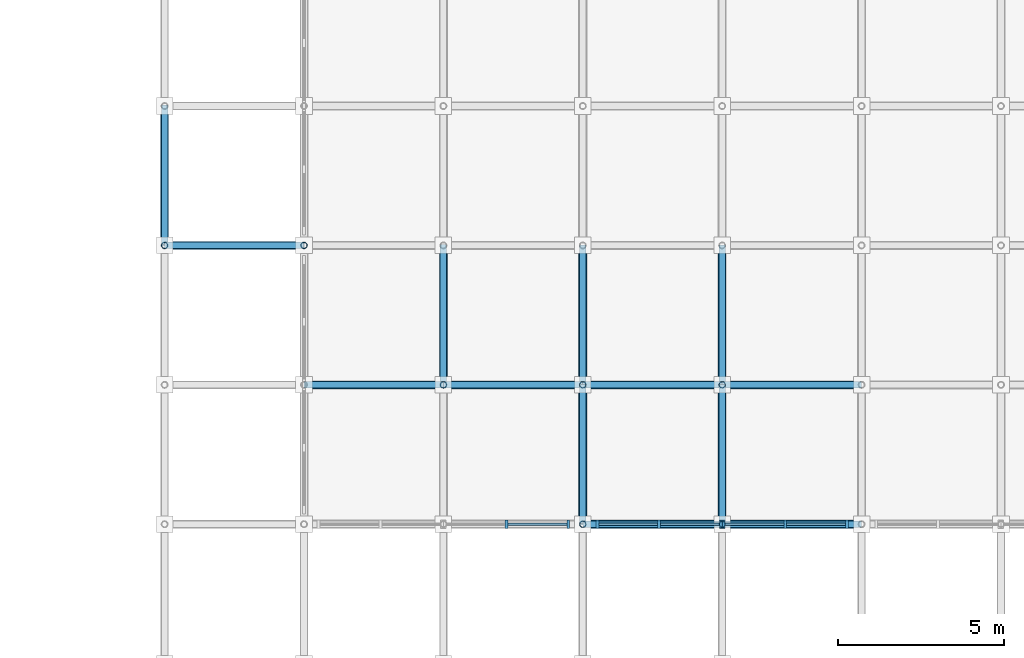
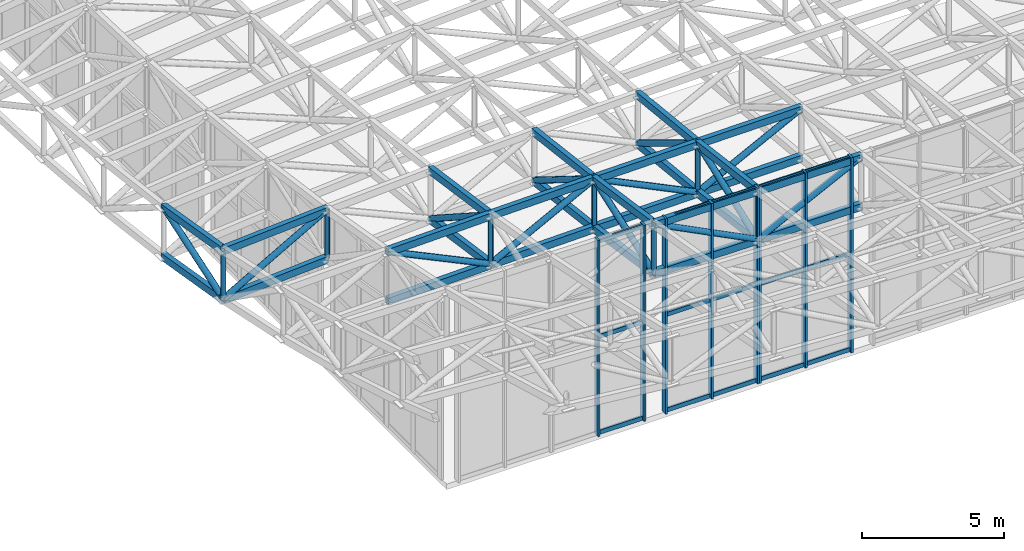
# One storey, part 28 of 123: 69 members, 3 elements without a shape of their own.
"""IFC4 building model written with IfcOpenShell, lengths in metres."""

from ifc_helpers import new_model, si_unit, direction, frame, origin, origin_2d, place, context, subcontext, project, spatial, rectangle, hollow_rectangle, hollow_circle, extrude, material, material_profile, profile_set, type_object, element, aggregate, save


model = new_model("IFC4")

# Units and contexts
model_context = context("Model", 3, precision=1e-05, world=origin(), true_north=direction((0.0, 1.0)))
body_context = subcontext(model_context, "Body", "Model", "MODEL_VIEW")
ifc_project = project(units=[si_unit("LENGTHUNIT", "METRE"), si_unit("AREAUNIT", "SQUARE_METRE"), si_unit("VOLUMEUNIT", "CUBIC_METRE"), si_unit("PLANEANGLEUNIT", "RADIAN"), si_unit("MASSUNIT", "GRAM", prefix="KILO")], contexts=[model_context])

# Site, building, storey
site_placement = place(None, origin())
site = spatial("IfcSite", under=ifc_project, at=site_placement, CompositionType="ELEMENT")
building_placement = place(site_placement, origin())
building = spatial("IfcBuilding", under=site, at=building_placement, Name="Cumbredor Promenade Congress Hotel", CompositionType="ELEMENT")
storey_placement = place(building_placement, frame((0.0, 0.0, 11.760009765625)))
storey = spatial("IfcBuildingStorey", under=building, at=storey_placement, Name="L03", CompositionType="ELEMENT", Elevation=11.760009765625)

# Members
ifc_material_1 = material(Name="Steel ASTM A500 Grade C", Category="steel")
ifc_material_profile_1 = material_profile(ifc_material_1, hollow_rectangle(XDim=0.199951171875, YDim=0.300048828125, WallThickness=0.012451171875, at=origin_2d()), Name="HSS 300x200x12.5")
ifc_profile_set_1 = profile_set([ifc_material_profile_1], Name="Steel ASTM A500 Grade C")
member_type_1 = type_object("IfcMemberType", Name="Ballroom Roof Space Frame Chord", PredefinedType="CHORD", material=ifc_profile_set_1)
for number, where, z_axis, x_axis, name in (
    (1, (151.199951171875, 8.39990234375, 8.215576171875), (0.999979184156, 0.0, -0.006452228649), (0.0, 1.0, 0.0), "Grand Ballroom Pavilion X Top Chord 4.3"),
    (2, (151.199951171875, 8.39990234375, 6.115478515625), (0.999979557515, 0.0, -0.00639410285), (0.0, 1.0, 0.0), "Grand Ballroom Pavilion X Bottom Chord 4.3"),
):
    element("IfcMember", number, at=place(storey_placement, frame(where, z_axis=z_axis, x_axis=x_axis)), inside=storey, type_object=member_type_1, Name=name, PredefinedType="CHORD", context=body_context, shape_type="SweptSolid", body=[
        extrude(hollow_rectangle(XDim=0.199951171875, YDim=0.300048828125, WallThickness=0.012451171875, at=origin_2d()), origin(), (0.0, 0.0, 1.0), 4.199951171875),
    ])
for number, where, z_axis, x_axis, name in (
    (3, (155.39990234375, 8.39990234375, 8.1884765625), (0.999992641417, 0.0, -0.003836288906), (0.0, 1.0, 0.0), "Grand Ballroom Pavilion X Top Chord 5.3"),
    (4, (155.39990234375, 8.39990234375, 6.088623046875), (0.999992641417, 0.0, -0.003836288906), (0.0, 1.0, 0.0), "Grand Ballroom Pavilion X Bottom Chord 5.3"),
):
    element("IfcMember", number, at=place(storey_placement, frame(where, z_axis=z_axis, x_axis=x_axis)), inside=storey, type_object=member_type_1, Name=name, PredefinedType="CHORD", context=body_context, shape_type="SweptSolid", body=[
        extrude(hollow_rectangle(XDim=0.199951171875, YDim=0.300048828125, WallThickness=0.012451171875, at=origin_2d()), origin(), (0.0, 0.0, 1.0), 4.2001953125),
    ])
for number, where, z_axis, x_axis, name in (
    (5, (142.800048828125, 12.60009765625, 7.423583984375), (0.999713338557, 0.0, 0.023942445823), (0.0, 1.0, 0.0), "Grand Ballroom Pavilion X Top Chord 2.4"),
    (6, (142.800048828125, 12.60009765625, 5.323486328125), (0.999711945909, 0.0, 0.024000525121), (0.0, 1.0, 0.0), "Grand Ballroom Pavilion X Bottom Chord 2.4"),
):
    element("IfcMember", number, at=place(storey_placement, frame(where, z_axis=z_axis, x_axis=x_axis)), inside=storey, type_object=member_type_1, Name=name, PredefinedType="CHORD", context=body_context, shape_type="SweptSolid", body=[
        extrude(hollow_rectangle(XDim=0.199951171875, YDim=0.300048828125, WallThickness=0.012451171875, at=origin_2d()), origin(), (0.0, 0.0, 1.0), 4.201171875),
    ])
for number, where, z_axis, x_axis, name in (
    (7, (147.0, 12.60009765625, 7.524169921875), (0.999827038718, 0.0, 0.018598189408), (0.0, 1.0, 0.0), "Grand Ballroom Pavilion X Top Chord 3.4"),
    (8, (147.0, 12.60009765625, 5.42431640625), (0.999828117758, 0.0, 0.018540090075), (0.0, 1.0, 0.0), "Grand Ballroom Pavilion X Bottom Chord 3.4"),
):
    element("IfcMember", number, at=place(storey_placement, frame(where, z_axis=z_axis, x_axis=x_axis)), inside=storey, type_object=member_type_1, Name=name, PredefinedType="CHORD", context=body_context, shape_type="SweptSolid", body=[
        extrude(hollow_rectangle(XDim=0.199951171875, YDim=0.300048828125, WallThickness=0.012451171875, at=origin_2d()), origin(), (0.0, 0.0, 1.0), 4.20068359375),
    ])
for number, where, z_axis, x_axis, name in (
    (9, (151.199951171875, 12.60009765625, 7.602294921875), (0.999912183907, 0.0, 0.013252338425), (0.0, 1.0, 0.0), "Grand Ballroom Pavilion X Top Chord 4.4"),
    (10, (151.199951171875, 12.60009765625, 5.502197265625), (0.999911412004, 0.0, 0.013310452441), (0.0, 1.0, 0.0), "Grand Ballroom Pavilion X Bottom Chord 4.4"),
    (11, (155.39990234375, 12.60009765625, 7.657958984375), (0.999968294718, 0.0, 0.00796301188), (0.0, 1.0, 0.0), "Grand Ballroom Pavilion X Top Chord 5.4"),
    (12, (155.39990234375, 12.60009765625, 5.55810546875), (0.999968755858, 0.0, 0.007904891351), (0.0, 1.0, 0.0), "Grand Ballroom Pavilion X Bottom Chord 5.4"),
):
    element("IfcMember", number, at=place(storey_placement, frame(where, z_axis=z_axis, x_axis=x_axis)), inside=storey, type_object=member_type_1, Name=name, PredefinedType="CHORD", context=body_context, shape_type="SweptSolid", body=[
        extrude(hollow_rectangle(XDim=0.199951171875, YDim=0.300048828125, WallThickness=0.012451171875, at=origin_2d()), origin(), (0.0, 0.0, 1.0), 4.200439453125),
    ])
for number, where, z_axis, x_axis, name in (
    (13, (138.60009765625, 16.800048828125, 6.419677734375), (0.997906149499, 0.0, 0.064678565174), (0.0, 1.0, 0.0), "Grand Ballroom Pavilion X Top Chord 1.5"),
    (14, (138.60009765625, 16.800048828125, 4.31982421875), (0.997906149499, 0.0, 0.064678565174), (0.0, 1.0, 0.0), "Grand Ballroom Pavilion X Bottom Chord 1.5"),
):
    element("IfcMember", number, at=place(storey_placement, frame(where, z_axis=z_axis, x_axis=x_axis)), inside=storey, type_object=member_type_1, Name=name, PredefinedType="CHORD", context=body_context, shape_type="SweptSolid", body=[
        extrude(hollow_rectangle(XDim=0.199951171875, YDim=0.300048828125, WallThickness=0.012451171875, at=origin_2d()), origin(), (0.0, 0.0, 1.0), 4.208740234375),
    ])
for number, where, z_axis, x_axis, name in (
    (15, (138.60009765625, 16.800048828125, 6.419677734375), (0.0, 0.986115204562, -0.166062648818), (-1.0, 0.0, 0.0), "Grand Ballroom Pavilion Y Top Chord 1.5"),
    (16, (138.60009765625, 16.800048828125, 4.31982421875), (0.0, 0.986115204562, -0.166062648818), (-1.0, 0.0, 0.0), "Grand Ballroom Pavilion Y Bottom Chord 1.5"),
):
    element("IfcMember", number, at=place(storey_placement, frame(where, z_axis=z_axis, x_axis=x_axis)), inside=storey, type_object=member_type_1, Name=name, PredefinedType="CHORD", context=body_context, shape_type="SweptSolid", body=[
        extrude(hollow_rectangle(XDim=0.199951171875, YDim=0.300048828125, WallThickness=0.012451171875, at=origin_2d()), origin(), (0.0, 0.0, 1.0), 4.259033203125),
    ])
for number, where, z_axis, x_axis, name in (
    (17, (147.0, 12.60009765625, 7.524169921875), (0.0, 0.98970292578, -0.143136713326), (-1.0, 0.0, 0.0), "Grand Ballroom Pavilion Y Top Chord 3.4"),
    (18, (147.0, 12.60009765625, 5.42431640625), (0.0, 0.989694774263, -0.143193064764), (-1.0, 0.0, 0.0), "Grand Ballroom Pavilion Y Bottom Chord 3.4"),
):
    element("IfcMember", number, at=place(storey_placement, frame(where, z_axis=z_axis, x_axis=x_axis)), inside=storey, type_object=member_type_1, Name=name, PredefinedType="CHORD", context=body_context, shape_type="SweptSolid", body=[
        extrude(hollow_rectangle(XDim=0.199951171875, YDim=0.300048828125, WallThickness=0.012451171875, at=origin_2d()), origin(), (0.0, 0.0, 1.0), 4.24365234375),
    ])
for number, where, z_axis, x_axis, name in (
    (19, (151.199951171875, 8.39990234375, 8.215576171875), (0.0, 0.989507642104, -0.144480539233), (-1.0, 0.0, 0.0), "Grand Ballroom Pavilion Y Top Chord 4.3"),
    (20, (151.199951171875, 8.39990234375, 6.115478515625), (0.0, 0.989507642104, -0.144480539233), (-1.0, 0.0, 0.0), "Grand Ballroom Pavilion Y Bottom Chord 4.3"),
):
    element("IfcMember", number, at=place(storey_placement, frame(where, z_axis=z_axis, x_axis=x_axis)), inside=storey, type_object=member_type_1, Name=name, PredefinedType="CHORD", context=body_context, shape_type="SweptSolid", body=[
        extrude(hollow_rectangle(XDim=0.199951171875, YDim=0.300048828125, WallThickness=0.012451171875, at=origin_2d()), origin(), (0.0, 0.0, 1.0), 4.24462890625),
    ])
for number, where, z_axis, x_axis, name in (
    (21, (151.199951171875, 12.60009765625, 7.602294921875), (0.0, 0.992680000349, -0.120774239419), (-1.0, 0.0, 0.0), "Grand Ballroom Pavilion Y Top Chord 4.4"),
    (22, (151.199951171875, 12.60009765625, 5.502197265625), (0.0, 0.992680000349, -0.120774239419), (-1.0, 0.0, 0.0), "Grand Ballroom Pavilion Y Bottom Chord 4.4"),
):
    element("IfcMember", number, at=place(storey_placement, frame(where, z_axis=z_axis, x_axis=x_axis)), inside=storey, type_object=member_type_1, Name=name, PredefinedType="CHORD", context=body_context, shape_type="SweptSolid", body=[
        extrude(hollow_rectangle(XDim=0.199951171875, YDim=0.300048828125, WallThickness=0.012451171875, at=origin_2d()), origin(), (0.0, 0.0, 1.0), 4.23095703125),
    ])
for number, where, z_axis, x_axis, name in (
    (23, (155.39990234375, 8.39990234375, 8.1884765625), (0.0, 0.992117358746, -0.125312196033), (-1.0, 0.0, 0.0), "Grand Ballroom Pavilion Y Top Chord 5.3"),
    (24, (155.39990234375, 8.39990234375, 6.088623046875), (0.0, 0.992117358746, -0.125312196033), (-1.0, 0.0, 0.0), "Grand Ballroom Pavilion Y Bottom Chord 5.3"),
):
    element("IfcMember", number, at=place(storey_placement, frame(where, z_axis=z_axis, x_axis=x_axis)), inside=storey, type_object=member_type_1, Name=name, PredefinedType="CHORD", context=body_context, shape_type="SweptSolid", body=[
        extrude(hollow_rectangle(XDim=0.199951171875, YDim=0.300048828125, WallThickness=0.012451171875, at=origin_2d()), origin(), (0.0, 0.0, 1.0), 4.233642578125),
    ])
for number, where, z_axis, x_axis, name in (
    (25, (155.39990234375, 12.60009765625, 7.657958984375), (0.0, 0.99450450258, -0.104693812368), (-1.0, 0.0, 0.0), "Grand Ballroom Pavilion Y Top Chord 5.4"),
    (26, (155.39990234375, 12.60009765625, 5.55810546875), (0.0, 0.99449848189, -0.104750988152), (-1.0, 0.0, 0.0), "Grand Ballroom Pavilion Y Bottom Chord 5.4"),
):
    element("IfcMember", number, at=place(storey_placement, frame(where, z_axis=z_axis, x_axis=x_axis)), inside=storey, type_object=member_type_1, Name=name, PredefinedType="CHORD", context=body_context, shape_type="SweptSolid", body=[
        extrude(hollow_rectangle(XDim=0.199951171875, YDim=0.300048828125, WallThickness=0.012451171875, at=origin_2d()), origin(), (0.0, 0.0, 1.0), 4.22314453125),
    ])

# Curtain wall, members
ifc_material_2 = material(Name="Thermally broken anodized aluminium and low-E glass", Category="aluminium")
curtain_wall_type = type_object("IfcCurtainWallType", Name="Stepped Pavilion Clerestory Curtain Wall CW-06", PredefinedType="NOTDEFINED", material=ifc_material_2)
curtain_wall_1_placement = place(storey_placement, origin())
curtain_wall_1 = element("IfcCurtainWall", 27, at=curtain_wall_1_placement, inside=storey, type_object=curtain_wall_type, Name="Grand Ballroom Pavilion S Glazed Clerestory 2", PredefinedType="NOTDEFINED")
ifc_material_3 = material(Name="Thermally broken anodized aluminium", Category="aluminium")
ifc_material_profile_2 = material_profile(ifc_material_3, rectangle(XDim=0.0849609375, YDim=0.260009765625, at=origin_2d()), Name="ALU MULLION CLERESTORY 85x260")
ifc_profile_set_2 = profile_set([ifc_material_profile_2], Name="Thermally broken anodized aluminium")
member_type_2 = type_object("IfcMemberType", Name="Curtain Wall Mullion ML-04", PredefinedType="MULLION", material=ifc_profile_set_2)
member_1_placement = place(storey_placement, frame((148.89990234375, 8.39990234375, -0.01806640625), z_axis=(0.0, 0.0, 1.0), x_axis=(1.0, 0.0, 0.0)))
member_1 = element("IfcMember", 28, at=member_1_placement, type_object=member_type_2, Name="Grand Ballroom Pavilion S Glazed Clerestory 2 Mullion 2", PredefinedType="MULLION", context=body_context, shape_type="SweptSolid", body=[
    extrude(rectangle(XDim=0.0849609375, YDim=0.260009765625, at=origin_2d()), origin(), (0.0, 0.0, 1.0), 8.40966796875),
])
member_2_placement = place(storey_placement, frame((150.760009765625, 8.39990234375, -0.01806640625), z_axis=(0.0, 0.0, 1.0), x_axis=(1.0, 0.0, 0.0)))
member_2 = element("IfcMember", 29, at=member_2_placement, type_object=member_type_2, Name="Grand Ballroom Pavilion S Glazed Clerestory 2 Mullion 3", PredefinedType="MULLION", context=body_context, shape_type="SweptSolid", body=[
    extrude(rectangle(XDim=0.0849609375, YDim=0.260009765625, at=origin_2d()), origin(), (0.0, 0.0, 1.0), 8.40966796875),
])

curtain_wall_2_placement = place(storey_placement, origin())
curtain_wall_2 = element("IfcCurtainWall", 30, at=curtain_wall_2_placement, inside=storey, type_object=curtain_wall_type, Name="Grand Ballroom Pavilion S Glazed Clerestory 3", PredefinedType="NOTDEFINED")
member_3_placement = place(storey_placement, frame((151.639892578125, 8.39990234375, -0.01806640625), z_axis=(0.0, 0.0, 1.0), x_axis=(1.0, 0.0, 0.0)))
member_3 = element("IfcMember", 31, at=member_3_placement, type_object=member_type_2, Name="Grand Ballroom Pavilion S Glazed Clerestory 3 Mullion 1", PredefinedType="MULLION", context=body_context, shape_type="SweptSolid", body=[
    extrude(rectangle(XDim=0.0849609375, YDim=0.260009765625, at=origin_2d()), origin(), (0.0, 0.0, 1.0), 8.382568359375),
])
member_4_placement = place(storey_placement, frame((153.5, 8.39990234375, -0.01806640625), z_axis=(0.0, 0.0, 1.0), x_axis=(1.0, 0.0, 0.0)))
member_4 = element("IfcMember", 32, at=member_4_placement, type_object=member_type_2, Name="Grand Ballroom Pavilion S Glazed Clerestory 3 Mullion 2", PredefinedType="MULLION", context=body_context, shape_type="SweptSolid", body=[
    extrude(rectangle(XDim=0.0849609375, YDim=0.260009765625, at=origin_2d()), origin(), (0.0, 0.0, 1.0), 8.382568359375),
])
member_5_placement = place(storey_placement, frame((155.360107421875, 8.39990234375, -0.01806640625), z_axis=(0.0, 0.0, 1.0), x_axis=(1.0, 0.0, 0.0)))
member_5 = element("IfcMember", 33, at=member_5_placement, type_object=member_type_2, Name="Grand Ballroom Pavilion S Glazed Clerestory 3 Mullion 3", PredefinedType="MULLION", context=body_context, shape_type="SweptSolid", body=[
    extrude(rectangle(XDim=0.0849609375, YDim=0.260009765625, at=origin_2d()), origin(), (0.0, 0.0, 1.0), 8.382568359375),
])

curtain_wall_3_placement = place(storey_placement, origin())
curtain_wall_3 = element("IfcCurtainWall", 34, at=curtain_wall_3_placement, inside=storey, type_object=curtain_wall_type, Name="Grand Ballroom Pavilion S Glazed Clerestory 4", PredefinedType="NOTDEFINED")
member_6_placement = place(storey_placement, frame((155.43994140625, 8.39990234375, -0.01806640625), z_axis=(0.0, 0.0, 1.0), x_axis=(1.0, 0.0, 0.0)))
member_6 = element("IfcMember", 35, at=member_6_placement, type_object=member_type_2, Name="Grand Ballroom Pavilion S Glazed Clerestory 4 Mullion 1", PredefinedType="MULLION", context=body_context, shape_type="SweptSolid", body=[
    extrude(rectangle(XDim=0.0849609375, YDim=0.260009765625, at=origin_2d()), origin(), (0.0, 0.0, 1.0), 8.366455078125),
])
member_7_placement = place(storey_placement, frame((157.300048828125, 8.39990234375, -0.01806640625), z_axis=(0.0, 0.0, 1.0), x_axis=(1.0, 0.0, 0.0)))
member_7 = element("IfcMember", 36, at=member_7_placement, type_object=member_type_2, Name="Grand Ballroom Pavilion S Glazed Clerestory 4 Mullion 2", PredefinedType="MULLION", context=body_context, shape_type="SweptSolid", body=[
    extrude(rectangle(XDim=0.0849609375, YDim=0.260009765625, at=origin_2d()), origin(), (0.0, 0.0, 1.0), 8.366455078125),
])
member_8_placement = place(storey_placement, frame((159.159912109375, 8.39990234375, -0.01806640625), z_axis=(0.0, 0.0, 1.0), x_axis=(1.0, 0.0, 0.0)))
member_8 = element("IfcMember", 37, at=member_8_placement, type_object=member_type_2, Name="Grand Ballroom Pavilion S Glazed Clerestory 4 Mullion 3", PredefinedType="MULLION", context=body_context, shape_type="SweptSolid", body=[
    extrude(rectangle(XDim=0.0849609375, YDim=0.260009765625, at=origin_2d()), origin(), (0.0, 0.0, 1.0), 8.366455078125),
])

# Member
ifc_material_profile_3 = material_profile(ifc_material_3, rectangle(XDim=0.080078125, YDim=0.179931640625, at=origin_2d()), Name="ALU TRANSOM 80x180")
ifc_profile_set_3 = profile_set([ifc_material_profile_3], Name="Thermally broken anodized aluminium")
member_type_3 = type_object("IfcMemberType", Name="Curtain Wall Transom TR-03", PredefinedType="USERDEFINED", material=ifc_profile_set_3)
member_9_placement = place(storey_placement, frame((148.9423828125, 8.39990234375, 0.080078125), z_axis=(1.0, 0.0, 0.0), x_axis=(0.0, 1.0, 0.0)))
member_9 = element("IfcMember", 38, at=member_9_placement, type_object=member_type_3, Name="Grand Ballroom Pavilion S Glazed Clerestory 2 Transom 2.1", ObjectType="TRANSOM", PredefinedType="USERDEFINED", context=body_context, shape_type="SweptSolid", body=[
    extrude(rectangle(XDim=0.080078125, YDim=0.179931640625, at=origin_2d()), origin(), (0.0, 0.0, 1.0), 1.775146484375),
])

member_10_placement = place(storey_placement, frame((148.9423828125, 8.39990234375, 4.18994140625), z_axis=(1.0, 0.0, 0.0), x_axis=(0.0, 1.0, 0.0)))
member_10 = element("IfcMember", 39, at=member_10_placement, type_object=member_type_3, Name="Grand Ballroom Pavilion S Glazed Clerestory 2 Transom 2.2", ObjectType="TRANSOM", PredefinedType="USERDEFINED", context=body_context, shape_type="SweptSolid", body=[
    extrude(rectangle(XDim=0.080078125, YDim=0.179931640625, at=origin_2d()), origin(), (0.0, 0.0, 1.0), 1.775146484375),
])

member_11_placement = place(storey_placement, frame((148.9423828125, 8.39990234375, 8.2900390625), z_axis=(1.0, 0.0, 0.0), x_axis=(0.0, 1.0, 0.0)))
member_11 = element("IfcMember", 40, at=member_11_placement, type_object=member_type_3, Name="Grand Ballroom Pavilion S Glazed Clerestory 2 Transom 2.3", ObjectType="TRANSOM", PredefinedType="USERDEFINED", context=body_context, shape_type="SweptSolid", body=[
    extrude(rectangle(XDim=0.080078125, YDim=0.179931640625, at=origin_2d()), origin(), (0.0, 0.0, 1.0), 1.775146484375),
])

aggregate(curtain_wall_1, [member_1, member_2, member_9, member_10, member_11])

member_12_placement = place(storey_placement, frame((151.6826171875, 8.39990234375, 0.080078125), z_axis=(1.0, 0.0, 0.0), x_axis=(0.0, 1.0, 0.0)))
member_12 = element("IfcMember", 41, at=member_12_placement, type_object=member_type_3, Name="Grand Ballroom Pavilion S Glazed Clerestory 3 Transom 1.1", ObjectType="TRANSOM", PredefinedType="USERDEFINED", context=body_context, shape_type="SweptSolid", body=[
    extrude(rectangle(XDim=0.080078125, YDim=0.179931640625, at=origin_2d()), origin(), (0.0, 0.0, 1.0), 1.77490234375),
])

member_13_placement = place(storey_placement, frame((151.6826171875, 8.39990234375, 4.179931640625), z_axis=(1.0, 0.0, 0.0), x_axis=(0.0, 1.0, 0.0)))
member_13 = element("IfcMember", 42, at=member_13_placement, type_object=member_type_3, Name="Grand Ballroom Pavilion S Glazed Clerestory 3 Transom 1.2", ObjectType="TRANSOM", PredefinedType="USERDEFINED", context=body_context, shape_type="SweptSolid", body=[
    extrude(rectangle(XDim=0.080078125, YDim=0.179931640625, at=origin_2d()), origin(), (0.0, 0.0, 1.0), 1.77490234375),
])

member_14_placement = place(storey_placement, frame((151.6826171875, 8.39990234375, 8.27001953125), z_axis=(1.0, 0.0, 0.0), x_axis=(0.0, 1.0, 0.0)))
member_14 = element("IfcMember", 43, at=member_14_placement, type_object=member_type_3, Name="Grand Ballroom Pavilion S Glazed Clerestory 3 Transom 1.3", ObjectType="TRANSOM", PredefinedType="USERDEFINED", context=body_context, shape_type="SweptSolid", body=[
    extrude(rectangle(XDim=0.080078125, YDim=0.179931640625, at=origin_2d()), origin(), (0.0, 0.0, 1.0), 1.77490234375),
])

member_15_placement = place(storey_placement, frame((153.54248046875, 8.39990234375, 0.080078125), z_axis=(1.0, 0.0, 0.0), x_axis=(0.0, 1.0, 0.0)))
member_15 = element("IfcMember", 44, at=member_15_placement, type_object=member_type_3, Name="Grand Ballroom Pavilion S Glazed Clerestory 3 Transom 2.1", ObjectType="TRANSOM", PredefinedType="USERDEFINED", context=body_context, shape_type="SweptSolid", body=[
    extrude(rectangle(XDim=0.080078125, YDim=0.179931640625, at=origin_2d()), origin(), (0.0, 0.0, 1.0), 1.77490234375),
])

member_16_placement = place(storey_placement, frame((153.54248046875, 8.39990234375, 4.179931640625), z_axis=(1.0, 0.0, 0.0), x_axis=(0.0, 1.0, 0.0)))
member_16 = element("IfcMember", 45, at=member_16_placement, type_object=member_type_3, Name="Grand Ballroom Pavilion S Glazed Clerestory 3 Transom 2.2", ObjectType="TRANSOM", PredefinedType="USERDEFINED", context=body_context, shape_type="SweptSolid", body=[
    extrude(rectangle(XDim=0.080078125, YDim=0.179931640625, at=origin_2d()), origin(), (0.0, 0.0, 1.0), 1.77490234375),
])

member_17_placement = place(storey_placement, frame((153.54248046875, 8.39990234375, 8.27001953125), z_axis=(1.0, 0.0, 0.0), x_axis=(0.0, 1.0, 0.0)))
member_17 = element("IfcMember", 46, at=member_17_placement, type_object=member_type_3, Name="Grand Ballroom Pavilion S Glazed Clerestory 3 Transom 2.3", ObjectType="TRANSOM", PredefinedType="USERDEFINED", context=body_context, shape_type="SweptSolid", body=[
    extrude(rectangle(XDim=0.080078125, YDim=0.179931640625, at=origin_2d()), origin(), (0.0, 0.0, 1.0), 1.77490234375),
])

aggregate(curtain_wall_2, [member_3, member_4, member_5, member_12, member_13, member_14, member_15, member_16, member_17])

member_18_placement = place(storey_placement, frame((155.482421875, 8.39990234375, 0.080078125), z_axis=(1.0, 0.0, 0.0), x_axis=(0.0, 1.0, 0.0)))
member_18 = element("IfcMember", 47, at=member_18_placement, type_object=member_type_3, Name="Grand Ballroom Pavilion S Glazed Clerestory 4 Transom 1.1", ObjectType="TRANSOM", PredefinedType="USERDEFINED", context=body_context, shape_type="SweptSolid", body=[
    extrude(rectangle(XDim=0.080078125, YDim=0.179931640625, at=origin_2d()), origin(), (0.0, 0.0, 1.0), 1.775146484375),
])

member_19_placement = place(storey_placement, frame((155.482421875, 8.39990234375, 4.169921875), z_axis=(1.0, 0.0, 0.0), x_axis=(0.0, 1.0, 0.0)))
member_19 = element("IfcMember", 48, at=member_19_placement, type_object=member_type_3, Name="Grand Ballroom Pavilion S Glazed Clerestory 4 Transom 1.2", ObjectType="TRANSOM", PredefinedType="USERDEFINED", context=body_context, shape_type="SweptSolid", body=[
    extrude(rectangle(XDim=0.080078125, YDim=0.179931640625, at=origin_2d()), origin(), (0.0, 0.0, 1.0), 1.775146484375),
])

member_20_placement = place(storey_placement, frame((155.482421875, 8.39990234375, 8.25), z_axis=(1.0, 0.0, 0.0), x_axis=(0.0, 1.0, 0.0)))
member_20 = element("IfcMember", 49, at=member_20_placement, type_object=member_type_3, Name="Grand Ballroom Pavilion S Glazed Clerestory 4 Transom 1.3", ObjectType="TRANSOM", PredefinedType="USERDEFINED", context=body_context, shape_type="SweptSolid", body=[
    extrude(rectangle(XDim=0.080078125, YDim=0.179931640625, at=origin_2d()), origin(), (0.0, 0.0, 1.0), 1.775146484375),
])

member_21_placement = place(storey_placement, frame((157.342529296875, 8.39990234375, 0.080078125), z_axis=(1.0, 0.0, 0.0), x_axis=(0.0, 1.0, 0.0)))
member_21 = element("IfcMember", 50, at=member_21_placement, type_object=member_type_3, Name="Grand Ballroom Pavilion S Glazed Clerestory 4 Transom 2.1", ObjectType="TRANSOM", PredefinedType="USERDEFINED", context=body_context, shape_type="SweptSolid", body=[
    extrude(rectangle(XDim=0.080078125, YDim=0.179931640625, at=origin_2d()), origin(), (0.0, 0.0, 1.0), 1.77490234375),
])

member_22_placement = place(storey_placement, frame((157.342529296875, 8.39990234375, 4.169921875), z_axis=(1.0, 0.0, 0.0), x_axis=(0.0, 1.0, 0.0)))
member_22 = element("IfcMember", 51, at=member_22_placement, type_object=member_type_3, Name="Grand Ballroom Pavilion S Glazed Clerestory 4 Transom 2.2", ObjectType="TRANSOM", PredefinedType="USERDEFINED", context=body_context, shape_type="SweptSolid", body=[
    extrude(rectangle(XDim=0.080078125, YDim=0.179931640625, at=origin_2d()), origin(), (0.0, 0.0, 1.0), 1.77490234375),
])

member_23_placement = place(storey_placement, frame((157.342529296875, 8.39990234375, 8.25), z_axis=(1.0, 0.0, 0.0), x_axis=(0.0, 1.0, 0.0)))
member_23 = element("IfcMember", 52, at=member_23_placement, type_object=member_type_3, Name="Grand Ballroom Pavilion S Glazed Clerestory 4 Transom 2.3", ObjectType="TRANSOM", PredefinedType="USERDEFINED", context=body_context, shape_type="SweptSolid", body=[
    extrude(rectangle(XDim=0.080078125, YDim=0.179931640625, at=origin_2d()), origin(), (0.0, 0.0, 1.0), 1.77490234375),
])

aggregate(curtain_wall_3, [member_6, member_7, member_8, member_18, member_19, member_20, member_21, member_22, member_23])

# Members
ifc_material_profile_4 = material_profile(ifc_material_1, hollow_circle(Radius=0.122314453125, WallThickness=0.012451171875, at=origin_2d()), Name="CHS 244.5x12.5")
ifc_profile_set_4 = profile_set([ifc_material_profile_4], Name="Steel ASTM A500 Grade C")
member_type_4 = type_object("IfcMemberType", Name="Space Frame Web Diagonal D2", PredefinedType="BRACE", material=ifc_profile_set_4)
member_24_placement = place(storey_placement, frame((151.199951171875, 8.39990234375, 8.215576171875), z_axis=(0.892123293135, 0.0, -0.451792020566), x_axis=(0.0, 1.0, 0.0)))
element("IfcMember", 53, at=member_24_placement, inside=storey, type_object=member_type_4, Name="Grand Ballroom Pavilion X Web Diagonal 4.3", PredefinedType="BRACE", context=body_context, shape_type="SweptSolid", body=[
    extrude(hollow_circle(Radius=0.122314453125, WallThickness=0.012451171875, at=origin_2d()), origin(), (0.0, 0.0, 1.0), 4.707763671875),
])
member_25_placement = place(storey_placement, frame((155.39990234375, 8.39990234375, 6.088623046875), z_axis=(0.895818321928, 0.0, 0.444420447434), x_axis=(0.0, 1.0, 0.0)))
element("IfcMember", 54, at=member_25_placement, inside=storey, type_object=member_type_4, Name="Grand Ballroom Pavilion X Web Diagonal 5.3", PredefinedType="BRACE", context=body_context, shape_type="SweptSolid", body=[
    extrude(hollow_circle(Radius=0.122314453125, WallThickness=0.012451171875, at=origin_2d()), origin(), (0.0, 0.0, 1.0), 4.688720703125),
])
member_26_placement = place(storey_placement, frame((142.800048828125, 12.60009765625, 7.423583984375), z_axis=(0.902919690617, 0.0, -0.429809297591), x_axis=(0.0, 1.0, 0.0)))
element("IfcMember", 55, at=member_26_placement, inside=storey, type_object=member_type_4, Name="Grand Ballroom Pavilion X Web Diagonal 2.4", PredefinedType="BRACE", context=body_context, shape_type="SweptSolid", body=[
    extrude(hollow_circle(Radius=0.122314453125, WallThickness=0.012451171875, at=origin_2d()), origin(), (0.0, 0.0, 1.0), 4.651611328125),
])
member_27_placement = place(storey_placement, frame((147.0, 12.60009765625, 5.42431640625), z_axis=(0.887735005002, 0.0, 0.460354820649), x_axis=(0.0, 1.0, 0.0)))
element("IfcMember", 56, at=member_27_placement, inside=storey, type_object=member_type_4, Name="Grand Ballroom Pavilion X Web Diagonal 3.4", PredefinedType="BRACE", context=body_context, shape_type="SweptSolid", body=[
    extrude(hollow_circle(Radius=0.122314453125, WallThickness=0.012451171875, at=origin_2d()), origin(), (0.0, 0.0, 1.0), 4.731201171875),
])
member_28_placement = place(storey_placement, frame((151.199951171875, 12.60009765625, 7.602294921875), z_axis=(0.899153384276, 0.0, -0.437633627073), x_axis=(0.0, 1.0, 0.0)))
element("IfcMember", 57, at=member_28_placement, inside=storey, type_object=member_type_4, Name="Grand Ballroom Pavilion X Web Diagonal 4.4", PredefinedType="BRACE", context=body_context, shape_type="SweptSolid", body=[
    extrude(hollow_circle(Radius=0.122314453125, WallThickness=0.012451171875, at=origin_2d()), origin(), (0.0, 0.0, 1.0), 4.6708984375),
])
member_29_placement = place(storey_placement, frame((155.39990234375, 12.60009765625, 5.55810546875), z_axis=(0.891590160655, 0.0, 0.45284322389), x_axis=(0.0, 1.0, 0.0)))
element("IfcMember", 58, at=member_29_placement, inside=storey, type_object=member_type_4, Name="Grand Ballroom Pavilion X Web Diagonal 5.4", PredefinedType="BRACE", context=body_context, shape_type="SweptSolid", body=[
    extrude(hollow_circle(Radius=0.122314453125, WallThickness=0.012451171875, at=origin_2d()), origin(), (0.0, 0.0, 1.0), 4.7109375),
])
member_30_placement = place(storey_placement, frame((138.60009765625, 16.800048828125, 4.31982421875), z_axis=(0.870723990269, 0.0, 0.491772033335), x_axis=(0.0, 1.0, 0.0)))
element("IfcMember", 59, at=member_30_placement, inside=storey, type_object=member_type_4, Name="Grand Ballroom Pavilion X Web Diagonal 1.5", PredefinedType="BRACE", context=body_context, shape_type="SweptSolid", body=[
    extrude(hollow_circle(Radius=0.122314453125, WallThickness=0.012451171875, at=origin_2d()), origin(), (0.0, 0.0, 1.0), 4.823486328125),
])
member_31_placement = place(storey_placement, frame((138.60009765625, 16.800048828125, 4.31982421875), z_axis=(0.0, 0.949184199316, 0.314721076144), x_axis=(-1.0, 0.0, 0.0)))
element("IfcMember", 60, at=member_31_placement, inside=storey, type_object=member_type_4, Name="Grand Ballroom Pavilion Y Web Diagonal 1.5", PredefinedType="BRACE", context=body_context, shape_type="SweptSolid", body=[
    extrude(hollow_circle(Radius=0.122314453125, WallThickness=0.012451171875, at=origin_2d()), origin(), (0.0, 0.0, 1.0), 4.4248046875),
])
member_32_placement = place(storey_placement, frame((147.0, 12.60009765625, 7.524169921875), z_axis=(0.0, 0.8404904438, -0.541826368758), x_axis=(-1.0, 0.0, 0.0)))
element("IfcMember", 61, at=member_32_placement, inside=storey, type_object=member_type_4, Name="Grand Ballroom Pavilion Y Web Diagonal 3.4", PredefinedType="BRACE", context=body_context, shape_type="SweptSolid", body=[
    extrude(hollow_circle(Radius=0.122314453125, WallThickness=0.012451171875, at=origin_2d()), origin(), (0.0, 0.0, 1.0), 4.9970703125),
])
member_33_placement = place(storey_placement, frame((151.199951171875, 8.39990234375, 6.115478515625), z_axis=(0.0, 0.94268038033, 0.333697019077), x_axis=(-1.0, 0.0, 0.0)))
element("IfcMember", 62, at=member_33_placement, inside=storey, type_object=member_type_4, Name="Grand Ballroom Pavilion Y Web Diagonal 4.3", PredefinedType="BRACE", context=body_context, shape_type="SweptSolid", body=[
    extrude(hollow_circle(Radius=0.122314453125, WallThickness=0.012451171875, at=origin_2d()), origin(), (0.0, 0.0, 1.0), 4.45556640625),
])
member_34_placement = place(storey_placement, frame((151.199951171875, 12.60009765625, 7.602294921875), z_axis=(0.0, 0.849257805631, -0.527978389306), x_axis=(-1.0, 0.0, 0.0)))
element("IfcMember", 63, at=member_34_placement, inside=storey, type_object=member_type_4, Name="Grand Ballroom Pavilion Y Web Diagonal 4.4", PredefinedType="BRACE", context=body_context, shape_type="SweptSolid", body=[
    extrude(hollow_circle(Radius=0.122314453125, WallThickness=0.012451171875, at=origin_2d()), origin(), (0.0, 0.0, 1.0), 4.945556640625),
])
member_35_placement = place(storey_placement, frame((155.39990234375, 8.39990234375, 6.088623046875), z_axis=(0.0, 0.936749183876, 0.350001380723), x_axis=(-1.0, 0.0, 0.0)))
element("IfcMember", 64, at=member_35_placement, inside=storey, type_object=member_type_4, Name="Grand Ballroom Pavilion Y Web Diagonal 5.3", PredefinedType="BRACE", context=body_context, shape_type="SweptSolid", body=[
    extrude(hollow_circle(Radius=0.122314453125, WallThickness=0.012451171875, at=origin_2d()), origin(), (0.0, 0.0, 1.0), 4.48388671875),
])
member_36_placement = place(storey_placement, frame((155.39990234375, 12.60009765625, 7.657958984375), z_axis=(0.0, 0.855485585984, -0.517826623662), x_axis=(-1.0, 0.0, 0.0)))
element("IfcMember", 65, at=member_36_placement, inside=storey, type_object=member_type_4, Name="Grand Ballroom Pavilion Y Web Diagonal 5.4", PredefinedType="BRACE", context=body_context, shape_type="SweptSolid", body=[
    extrude(hollow_circle(Radius=0.122314453125, WallThickness=0.012451171875, at=origin_2d()), origin(), (0.0, 0.0, 1.0), 4.909423828125),
])
ifc_material_profile_5 = material_profile(ifc_material_1, hollow_circle(Radius=0.096923828125, WallThickness=0.010009765625, at=origin_2d()), Name="CHS 193.7x10")
ifc_profile_set_5 = profile_set([ifc_material_profile_5], Name="Steel ASTM A500 Grade C")
member_type_5 = type_object("IfcMemberType", Name="Space Frame Web Post P1", PredefinedType="BRACE", material=ifc_profile_set_5)
for number, where, z_axis, x_axis, name in (
    (66, (138.60009765625, 16.800048828125, 4.31982421875), (0.0, 0.0, 1.0), (1.0, 0.0, 0.0), "Grand Ballroom Pavilion Space Frame Web Post 1.5"),
    (67, (142.800048828125, 16.800048828125, 4.592041015625), (0.0, 0.0, 1.0), (1.0, 0.0, 0.0), "Grand Ballroom Pavilion Space Frame Web Post 2.5"),
    (68, (147.0, 12.60009765625, 5.42431640625), (0.0, 0.0, 1.0), (1.0, 0.0, 0.0), "Grand Ballroom Pavilion Space Frame Web Post 3.4"),
):
    element("IfcMember", number, at=place(storey_placement, frame(where, z_axis=z_axis, x_axis=x_axis)), inside=storey, type_object=member_type_5, Name=name, PredefinedType="BRACE", context=body_context, shape_type="SweptSolid", body=[
        extrude(hollow_circle(Radius=0.096923828125, WallThickness=0.010009765625, at=origin_2d()), origin(), (0.0, 0.0, 1.0), 2.099853515625),
    ])
for number, where, z_axis, x_axis, name in (
    (69, (151.199951171875, 8.39990234375, 6.115478515625), (0.0, 0.0, 1.0), (1.0, 0.0, 0.0), "Grand Ballroom Pavilion Space Frame Web Post 4.3"),
    (70, (151.199951171875, 12.60009765625, 5.502197265625), (0.0, 0.0, 1.0), (1.0, 0.0, 0.0), "Grand Ballroom Pavilion Space Frame Web Post 4.4"),
):
    element("IfcMember", number, at=place(storey_placement, frame(where, z_axis=z_axis, x_axis=x_axis)), inside=storey, type_object=member_type_5, Name=name, PredefinedType="BRACE", context=body_context, shape_type="SweptSolid", body=[
        extrude(hollow_circle(Radius=0.096923828125, WallThickness=0.010009765625, at=origin_2d()), origin(), (0.0, 0.0, 1.0), 2.10009765625),
    ])
for number, where, z_axis, x_axis, name in (
    (71, (155.39990234375, 8.39990234375, 6.088623046875), (0.0, 0.0, 1.0), (1.0, 0.0, 0.0), "Grand Ballroom Pavilion Space Frame Web Post 5.3"),
    (72, (155.39990234375, 12.60009765625, 5.55810546875), (0.0, 0.0, 1.0), (1.0, 0.0, 0.0), "Grand Ballroom Pavilion Space Frame Web Post 5.4"),
):
    element("IfcMember", number, at=place(storey_placement, frame(where, z_axis=z_axis, x_axis=x_axis)), inside=storey, type_object=member_type_5, Name=name, PredefinedType="BRACE", context=body_context, shape_type="SweptSolid", body=[
        extrude(hollow_circle(Radius=0.096923828125, WallThickness=0.010009765625, at=origin_2d()), origin(), (0.0, 0.0, 1.0), 2.099853515625),
    ])

save(model, "model.ifc")
